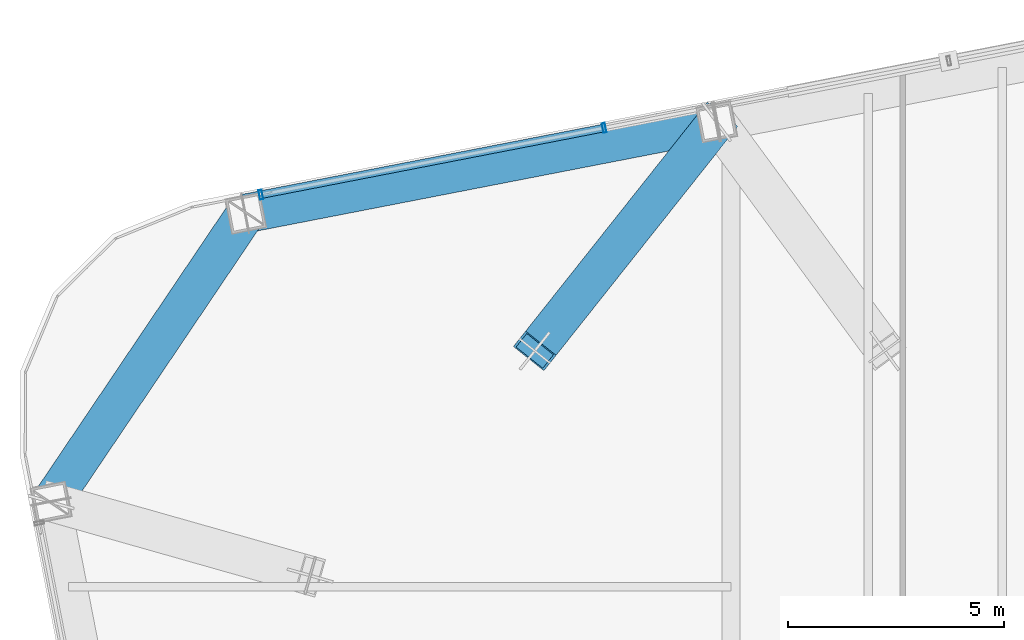
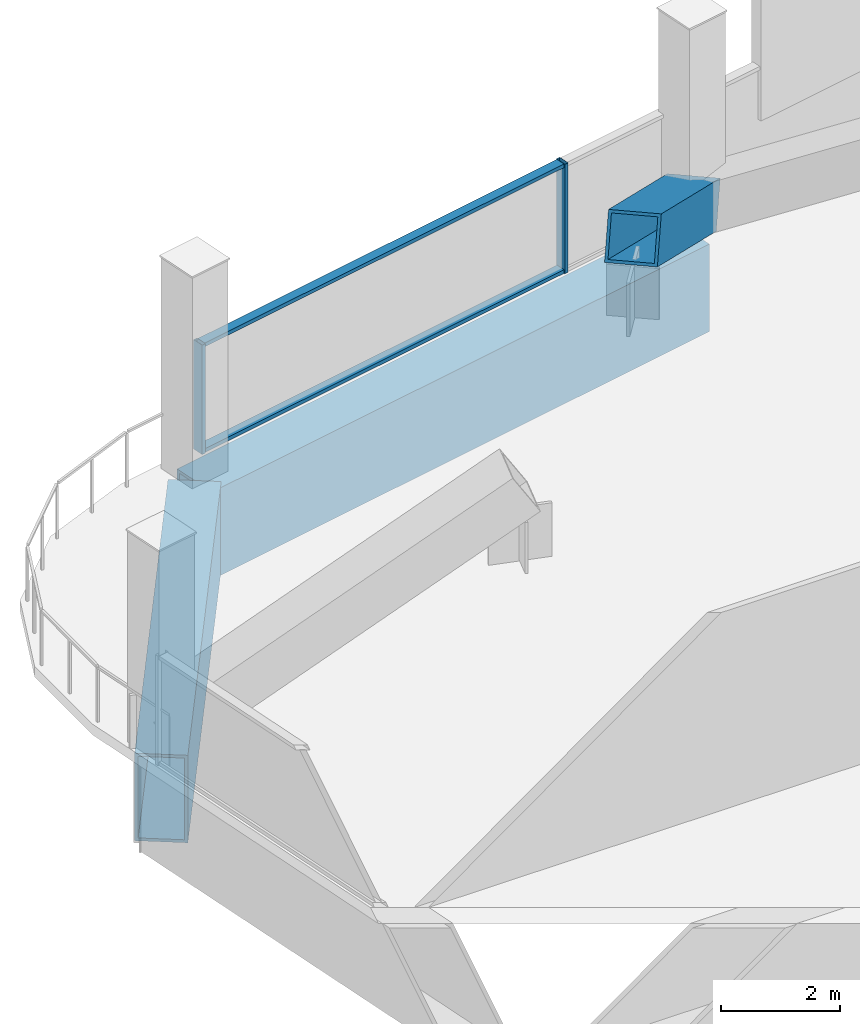
# One storey, part 12 of 26: 5 members, 2 beams, 1 element without a shape of its own.
"""IFC4 building model written with IfcOpenShell, lengths in metres."""

import ifcopenshell
import ifcopenshell.guid

model = None  # the IFC model being written
_history = None  # IfcOwnerHistory: only IFC2X3 demands one
_inside = {}  # id of a spatial element -> (the spatial element, [elements in it])
_under = {}  # id of a project, library or spatial element -> (it, [spatial elements below it])
_declared = {}  # id of a project -> (the project, [libraries it declares])
_typed = {}  # id of a type object -> (the type object, [elements of that type])
_made_of = {}  # id of a material, layer set ... -> (it, [elements and type objects made of it])


def new_model(schema):
    """Start an empty IFC model of exactly this schema.

    Asked for "IFC4X3", IfcOpenShell would pick the latest addendum, in which some entities
    have other attributes; the version numbers below select the first issue.
    IFC2X3 requires an IfcOwnerHistory on every rooted entity: one is made here for all.
    """
    global model, _history
    if schema == "IFC4X3":
        model = ifcopenshell.file(schema_version=(4, 3, 0, 0))
    else:
        model = ifcopenshell.file(schema=schema)
    _inside.clear()
    _under.clear()
    _declared.clear()
    _typed.clear()
    _made_of.clear()
    _history = None
    if model.schema == "IFC2X3":
        org = make("IfcOrganization", Name="unknown")
        user = make(
            "IfcPersonAndOrganization",
            ThePerson=make("IfcPerson", FamilyName="unknown"),
            TheOrganization=org,
        )
        app = make(
            "IfcApplication",
            ApplicationDeveloper=org,
            Version="unknown",
            ApplicationFullName="unknown",
            ApplicationIdentifier="unknown",
        )
        _history = make(
            "IfcOwnerHistory",
            OwningUser=user,
            OwningApplication=app,
            ChangeAction="ADDED",
            CreationDate=0,
        )
    return model


def make(cls, **values):
    """One entity of the class cls with the attributes given. An attribute that is None is left unset."""
    return model.create_entity(
        cls, **{name: value for name, value in values.items() if value is not None}
    )


def rooted(cls, **values):
    """An entity with a GlobalId (a new one), such as an element, a storey or a relation."""
    return make(cls, GlobalId=ifcopenshell.guid.new(), OwnerHistory=_history, **values)


def si_unit(unit_type, name, prefix=None):
    """IfcSIUnit, for example si_unit("LENGTHUNIT", "METRE", prefix="MILLI")."""
    return make("IfcSIUnit", UnitType=unit_type, Prefix=prefix, Name=name)


def assignment(units):
    """IfcUnitAssignment: the units of a project."""
    return None if units is None else make("IfcUnitAssignment", Units=units)


def point(xyz):
    """IfcCartesianPoint."""
    return None if xyz is None else make("IfcCartesianPoint", Coordinates=xyz)


def direction(xyz):
    """IfcDirection."""
    return None if xyz is None else make("IfcDirection", DirectionRatios=xyz)


def frame(location, z_axis=None, x_axis=None):
    """IfcAxis2Placement3D, a coordinate frame: its origin and axes. An axis left out is left unset."""
    return make(
        "IfcAxis2Placement3D",
        Location=point(location),
        Axis=direction(z_axis),
        RefDirection=direction(x_axis),
    )


def frame_2d(location, x_axis=None):
    """IfcAxis2Placement2D, a coordinate frame in the plane: its origin and x axis."""
    return make(
        "IfcAxis2Placement2D", Location=point(location), RefDirection=direction(x_axis)
    )


def origin():
    """The frame at (0, 0, 0) with its axes left unset."""
    return frame((0.0, 0.0, 0.0))


def origin_2d():
    """The frame at (0, 0) in the plane with its x axis left unset."""
    return frame_2d((0.0, 0.0))


def place(relative_to, where):
    """IfcLocalPlacement: puts the frame where relative to a parent placement (None: the world)."""
    return make(
        "IfcLocalPlacement", PlacementRelTo=relative_to, RelativePlacement=where
    )


def context(
    kind, dimensions, precision=None, world=None, true_north=None, identifier=None
):
    """IfcGeometricRepresentationContext, for example the 3D "Model" context."""
    return make(
        "IfcGeometricRepresentationContext",
        ContextIdentifier=identifier,
        ContextType=kind,
        CoordinateSpaceDimension=dimensions,
        Precision=precision,
        WorldCoordinateSystem=world,
        TrueNorth=true_north,
    )


def subcontext(parent, identifier, kind, view, scale=None):
    """IfcGeometricRepresentationSubContext, for example "Body" below "Model"."""
    return make(
        "IfcGeometricRepresentationSubContext",
        ContextIdentifier=identifier,
        ContextType=kind,
        ParentContext=parent,
        TargetScale=scale,
        TargetView=view,
    )


def project(units=None, contexts=None):
    """IfcProject with its units and contexts."""
    return rooted(
        "IfcProject",
        Name="project",
        RepresentationContexts=contexts,
        UnitsInContext=assignment(units),
    )


def spatial(cls, under=None, at=None, **own):
    """A site, building, storey or space (cls), placed at a placement, below another one or the project."""
    s = rooted(cls, ObjectPlacement=at, **own)
    if under is not None:
        _under.setdefault(under.id(), (under, []))[1].append(s)
    return s


def profile(cls, at=None, kind="AREA", **sizes):
    """A parametric profile (cls). Its sizes go by their IFC names, for example OverallWidth=200.0."""
    return make(cls, ProfileType=kind, Position=at, **sizes)


def hollow_rectangle(**sizes):
    """IfcRectangleHollowProfileDef."""
    return profile("IfcRectangleHollowProfileDef", **sizes)


def extrude(swept, where, along, depth):
    """IfcExtrudedAreaSolid: the profile swept, set in the frame where, extruded along a direction by depth."""
    return make(
        "IfcExtrudedAreaSolid",
        SweptArea=swept,
        Position=where,
        ExtrudedDirection=direction(along),
        Depth=depth,
    )


def shape(context_of_items, identifier, shape_type, items):
    """IfcShapeRepresentation: the items that make up one representation, for example the "Body"."""
    return make(
        "IfcShapeRepresentation",
        ContextOfItems=context_of_items,
        RepresentationIdentifier=identifier,
        RepresentationType=shape_type,
        Items=items,
    )


def material(Name=None, Category=None):
    """IfcMaterial."""
    return make("IfcMaterial", Name=Name, Category=Category)


def layer(
    of_material, thickness, ventilated=None, Name=None, Category=None, Priority=None
):
    """IfcMaterialLayer: one layer of a wall or slab, of a material (None: an air gap)."""
    return make(
        "IfcMaterialLayer",
        Material=of_material,
        LayerThickness=thickness,
        IsVentilated=ventilated,
        Name=Name,
        Category=Category,
        Priority=Priority,
    )


def layer_set(layers, Name=None):
    """IfcMaterialLayerSet."""
    return make("IfcMaterialLayerSet", MaterialLayers=layers, LayerSetName=Name)


def material_profile(
    of_material, cross_section, Name=None, Category=None, Priority=None
):
    """IfcMaterialProfile: a cross section and its material."""
    return make(
        "IfcMaterialProfile",
        Name=Name,
        Material=of_material,
        Profile=cross_section,
        Priority=Priority,
        Category=Category,
    )


def profile_set(profiles, Name=None, composite=None):
    """IfcMaterialProfileSet."""
    return make(
        "IfcMaterialProfileSet",
        Name=Name,
        MaterialProfiles=profiles,
        CompositeProfile=composite,
    )


def made_of(thing, what):
    """Note that an element or type object is made of a material, layer set ...; save() writes the relation."""
    if what is not None:
        _made_of.setdefault(what.id(), (what, []))[1].append(thing)
    return thing


def type_object(cls, material=None, **own):
    """A type object (cls), such as IfcWallType, which elements share."""
    return made_of(rooted(cls, **own), material)


def element(
    cls,
    number,
    at=None,
    inside=None,
    cuts=None,
    type_object=None,
    material=None,
    context=None,
    identifier="Body",
    shape_type=None,
    held_by="IfcProductDefinitionShape",
    body=None,
    shapes=None,
    **own,
):
    """One element of the class cls, such as IfcWall. Its Tag is "e" and its number.

    at: its placement. inside: the storey or other place that contains it. cuts: it is an
    opening in that element (IfcRelVoidsElement). A single representation is given by context,
    identifier, shape_type and body (its items); several are given by shapes. held_by: the class
    of the entity that holds the representations. save() writes the other relations.
    """
    e = rooted(cls, Tag="e%d" % number, ObjectPlacement=at, **own)
    if body is not None:
        shapes = [shape(context, identifier, shape_type, body)]
    if shapes is not None:
        e.Representation = make(held_by, Representations=shapes)
    if inside is not None:
        _inside.setdefault(inside.id(), (inside, []))[1].append(e)
    if cuts is not None:
        rooted(
            "IfcRelVoidsElement", RelatingBuildingElement=cuts, RelatedOpeningElement=e
        )
    if type_object is not None:
        _typed.setdefault(type_object.id(), (type_object, []))[1].append(e)
    return made_of(e, material)


def aggregate(whole, parts):
    """IfcRelAggregates: a whole, such as a stair, and the parts it consists of."""
    return rooted("IfcRelAggregates", RelatingObject=whole, RelatedObjects=parts)


def save(model, path):
    """Write the relations noted so far, then the file.

    IfcRelAggregates (storeys below a building ...), IfcRelContainedInSpatialStructure (elements
    in a storey), IfcRelDefinesByType, IfcRelAssociatesMaterial and IfcRelDeclares: one each for
    every whole, place, type object, material and project.
    """
    for whole, parts in _under.values():
        aggregate(whole, parts)
    for where, things in _inside.values():
        rooted(
            "IfcRelContainedInSpatialStructure",
            RelatedElements=things,
            RelatingStructure=where,
        )
    for kind, things in _typed.values():
        rooted("IfcRelDefinesByType", RelatedObjects=things, RelatingType=kind)
    for what, things in _made_of.values():
        rooted("IfcRelAssociatesMaterial", RelatedObjects=things, RelatingMaterial=what)
    for by, libraries in _declared.values():
        rooted("IfcRelDeclares", RelatingContext=by, RelatedDefinitions=libraries)
    model.write(path)


model = new_model("IFC4")

# Units and contexts
model_context = context("Model", 3, precision=1e-05, world=origin(), true_north=direction((0.0, 1.0)))
body_context = subcontext(model_context, "Body", "Model", "MODEL_VIEW")
ifc_project = project(units=[si_unit("LENGTHUNIT", "METRE"), si_unit("AREAUNIT", "SQUARE_METRE"), si_unit("VOLUMEUNIT", "CUBIC_METRE"), si_unit("PLANEANGLEUNIT", "RADIAN"), si_unit("MASSUNIT", "GRAM", prefix="KILO")], contexts=[model_context])

# Site, building, storey
site_placement = place(None, origin())
site = spatial("IfcSite", under=ifc_project, at=site_placement, CompositionType="ELEMENT")
building_placement = place(site_placement, origin())
building = spatial("IfcBuilding", under=site, at=building_placement, Name="Qhalaya Broadcast Tower", CompositionType="ELEMENT")
storey_placement = place(building_placement, frame((0.0, 0.0, 140.25)))
storey = spatial("IfcBuildingStorey", under=building, at=storey_placement, Name="L41", CompositionType="ELEMENT", Elevation=140.25)

# Beams
ifc_material_1 = material(Name="Structural Steel ASTM A572 Grade 50", Category="steel")
ifc_material_profile_1 = material_profile(ifc_material_1, hollow_rectangle(XDim=0.89990234375, YDim=1.800048828125, WallThickness=0.06005859375, at=origin_2d()), Name="BOX 900x1800x60")
ifc_profile_set_1 = profile_set([ifc_material_profile_1], Name="Structural Steel ASTM A572 Grade 50")
beam_type = type_object("IfcBeamType", Name="Block Cantilever Transfer Box Girder TG1", PredefinedType="USERDEFINED", material=ifc_profile_set_1)
beam_1_placement = place(storey_placement, frame((-9.712646484375, 27.96044921875, -1.1201171875), z_axis=(-0.981623859527, -0.190826094673, 0.0), x_axis=(0.190826094673, -0.981623859527, 0.0)))
element("IfcBeam", 1, at=beam_1_placement, inside=storey, type_object=beam_type, Name="L41 TG1 L41-SPR-11", ObjectType="GIRDER", PredefinedType="USERDEFINED", context=body_context, shape_type="SweptSolid", body=[
    extrude(hollow_rectangle(XDim=0.89990234375, YDim=1.800048828125, WallThickness=0.06005859375, at=origin_2d()), origin(), (0.0, 0.0, 1.0), 11.099853515625),
])
beam_2_placement = place(storey_placement, frame((-20.608642578125, 25.84228515625, -1.1201171875), z_axis=(-0.559186208288, -0.829042088473, 0.0), x_axis=(0.829042088473, -0.559186208288, 0.0)))
element("IfcBeam", 2, at=beam_2_placement, inside=storey, type_object=beam_type, Name="L41 TG1 L41-SPR-12", ObjectType="GIRDER", PredefinedType="USERDEFINED", context=body_context, shape_type="SweptSolid", body=[
    extrude(hollow_rectangle(XDim=0.89990234375, YDim=1.800048828125, WallThickness=0.06005859375, at=origin_2d()), origin(), (0.0, 0.0, 1.0), 8.06103515625),
])

# Member
ifc_material_profile_2 = material_profile(ifc_material_1, hollow_rectangle(XDim=0.89990234375, YDim=0.89990234375, WallThickness=0.054931640625, at=origin_2d()), Name="BOX 900x900x55")
ifc_profile_set_2 = profile_set([ifc_material_profile_2], Name="Structural Steel ASTM A572 Grade 50")
member_type_1 = type_object("IfcMemberType", Name="Heavy Exoskeleton Transfer Strut RK1", PredefinedType="BRACE", material=ifc_profile_set_2)
member_1_placement = place(storey_placement, frame((-9.712646484375, 27.96044921875, 0.398681640625), z_axis=(-0.536882752356, -0.67639188977, 0.504233003359), x_axis=(0.783252931381, -0.621703181175, 0.0)))
element("IfcMember", 3, at=member_1_placement, inside=storey, type_object=member_type_1, Name="L41 Inclined Exoskeleton Transfer Strut 12", PredefinedType="BRACE", context=body_context, shape_type="SweptSolid", body=[
    extrude(hollow_rectangle(XDim=0.89990234375, YDim=0.89990234375, WallThickness=0.054931640625, at=origin_2d()), origin(), (0.0, 0.0, 1.0), 7.83642578125),
])

# Curtain wall, members
ifc_material_2 = material(Name="Fired Architectural Terracotta", Category="masonry")
ifc_layer = layer(ifc_material_2, 0.219970703125, Name="Fired Architectural Terracotta")
ifc_layer_set = layer_set([ifc_layer], Name="Fired Architectural Terracotta")
curtain_wall_type = type_object("IfcCurtainWallType", Name="Block-Cap Unitised Terracotta Spandrel Wall CW-07", PredefinedType="NOTDEFINED", material=ifc_layer_set)
curtain_wall_placement = place(storey_placement, origin())
curtain_wall = element("IfcCurtainWall", 4, at=curtain_wall_placement, inside=storey, type_object=curtain_wall_type, Name="L41 Unitised Curtain Wall L41-CW-N", PredefinedType="NOTDEFINED")
ifc_material_3 = material(Name="Anodised Aluminium 6063-T6", Category="aluminium")
ifc_material_profile_3 = material_profile(ifc_material_3, hollow_rectangle(XDim=0.074951171875, YDim=0.219970703125, WallThickness=0.00390625, at=origin_2d()), Name="ALU-MUL 75x220x4")
ifc_profile_set_3 = profile_set([ifc_material_profile_3], Name="Anodised Aluminium 6063-T6")
member_type_2 = type_object("IfcMemberType", Name="Unitised Curtain-Wall Mullion M01", PredefinedType="MULLION", material=ifc_profile_set_3)
member_2_placement = place(storey_placement, frame((-20.259765625, 26.27685546875, 0.0), z_axis=(0.0, 0.0, 1.0), x_axis=(0.981626973255, 0.190810076719, 0.0)))
member_2 = element("IfcMember", 5, at=member_2_placement, type_object=member_type_2, Name="CW-07 mullion 1", PredefinedType="MULLION", context=body_context, shape_type="SweptSolid", body=[
    extrude(hollow_rectangle(XDim=0.074951171875, YDim=0.219970703125, WallThickness=0.00390625, at=origin_2d()), origin(), (0.0, 0.0, 1.0), 2.25),
])
member_3_placement = place(storey_placement, frame((-12.31494140625, 27.8212890625, 0.0), z_axis=(0.0, 0.0, 1.0), x_axis=(0.981626973255, 0.190810076719, 0.0)))
member_3 = element("IfcMember", 6, at=member_3_placement, type_object=member_type_2, Name="CW-07 mullion 2", PredefinedType="MULLION", context=body_context, shape_type="SweptSolid", body=[
    extrude(hollow_rectangle(XDim=0.074951171875, YDim=0.219970703125, WallThickness=0.00390625, at=origin_2d()), origin(), (0.0, 0.0, 1.0), 2.25),
])
ifc_material_profile_4 = material_profile(ifc_material_3, hollow_rectangle(XDim=0.074951171875, YDim=0.179931640625, WallThickness=0.00390625, at=origin_2d()), Name="ALU-TRN 75x180x4")
ifc_profile_set_4 = profile_set([ifc_material_profile_4], Name="Anodised Aluminium 6063-T6")
member_type_3 = type_object("IfcMemberType", Name="Unitised Curtain-Wall Transom T01", PredefinedType="USERDEFINED", material=ifc_profile_set_4)
member_4_placement = place(storey_placement, frame((-20.222900390625, 26.2841796875, 0.03759765625), z_axis=(0.981626163563, 0.190814242154, 0.0), x_axis=(0.0, 0.0, 1.0)))
member_4 = element("IfcMember", 7, at=member_4_placement, type_object=member_type_3, Name="CW-07 transom 1.1", ObjectType="TRANSOM", PredefinedType="USERDEFINED", context=body_context, shape_type="SweptSolid", body=[
    extrude(hollow_rectangle(XDim=0.074951171875, YDim=0.179931640625, WallThickness=0.00390625, at=origin_2d()), origin(), (0.0, 0.0, 1.0), 8.018310546875),
])
member_5_placement = place(storey_placement, frame((-20.222900390625, 26.2841796875, 2.21240234375), z_axis=(0.981626163563, 0.190814242154, 0.0), x_axis=(0.0, 0.0, 1.0)))
member_5 = element("IfcMember", 8, at=member_5_placement, type_object=member_type_3, Name="CW-07 transom 1.2", ObjectType="TRANSOM", PredefinedType="USERDEFINED", context=body_context, shape_type="SweptSolid", body=[
    extrude(hollow_rectangle(XDim=0.074951171875, YDim=0.179931640625, WallThickness=0.00390625, at=origin_2d()), origin(), (0.0, 0.0, 1.0), 8.018310546875),
])
aggregate(curtain_wall, [member_2, member_3, member_4, member_5])

save(model, "model.ifc")
